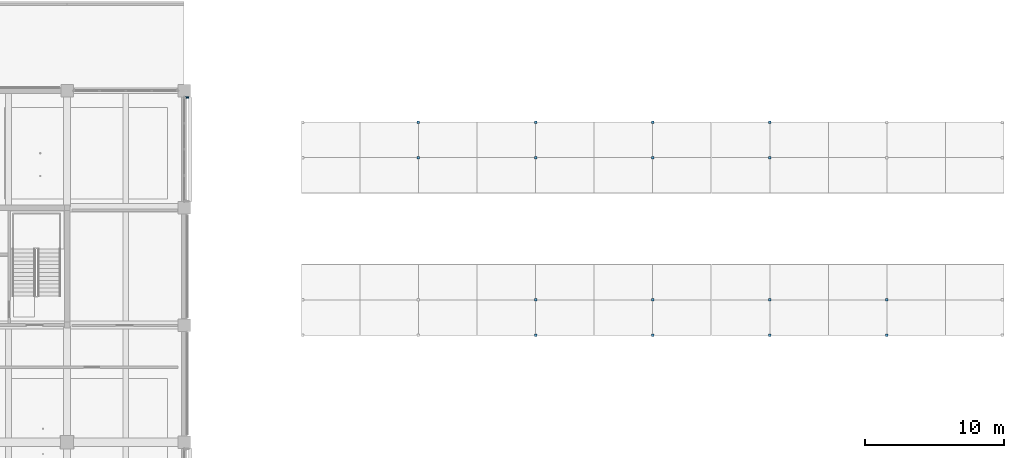
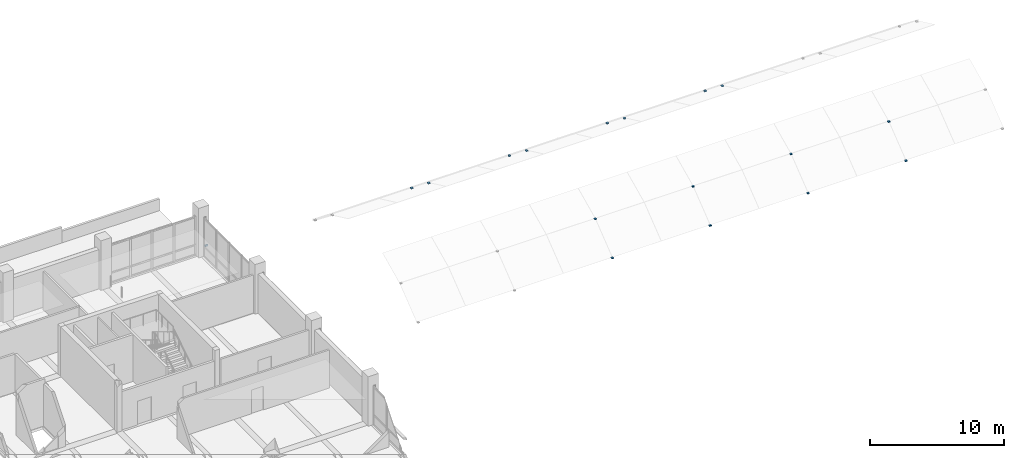
# One storey, part 34 of 59: 17 discrete accessories.
"""IFC4 building model written with IfcOpenShell, lengths in metres."""

from ifc_helpers import new_model, si_unit, direction, frame, origin, origin_2d, place, context, subcontext, project, spatial, rectangle, extrude, material, type_object, element, save


model = new_model("IFC4")

# Units and contexts
model_context = context("Model", 3, precision=1e-05, world=origin(), true_north=direction((0.0, 1.0)))
body_context = subcontext(model_context, "Body", "Model", "MODEL_VIEW")
ifc_project = project(units=[si_unit("LENGTHUNIT", "METRE"), si_unit("AREAUNIT", "SQUARE_METRE"), si_unit("VOLUMEUNIT", "CUBIC_METRE"), si_unit("PLANEANGLEUNIT", "RADIAN"), si_unit("MASSUNIT", "GRAM", prefix="KILO")], contexts=[model_context])

# Site, building, storey
site_placement = place(None, origin())
site = spatial("IfcSite", under=ifc_project, at=site_placement, CompositionType="ELEMENT")
building_placement = place(site_placement, origin())
building = spatial("IfcBuilding", under=site, at=building_placement, Name="Telukmera Botanical Conservatory", CompositionType="ELEMENT")
storey_placement = place(building_placement, frame((0.0, 0.0, 15.0)))
storey = spatial("IfcBuildingStorey", under=building, at=storey_placement, Name="L03", CompositionType="ELEMENT", Elevation=15.0)

# Discrete accessories
ifc_material = material(Name="Steel S355", Category="steel")
discrete_accessory_type_1 = type_object("IfcDiscreteAccessoryType", Name="Structural Steel Facade Outrigger Fin Bracket", PredefinedType="BRACKET", material=ifc_material)
discrete_accessory_placement = place(storey_placement, frame((109.39990234375, 42.3154296875, 0.8798828125), z_axis=(0.0, 0.0, 1.0), x_axis=(0.0, 1.0, 0.0)))
element("IfcDiscreteAccessory", 1, at=discrete_accessory_placement, inside=storey, type_object=discrete_accessory_type_1, Name="Facade Outrigger Bracket V4:L03:E4 B", PredefinedType="BRACKET", context=body_context, shape_type="SweptSolid", body=[
    extrude(rectangle(XDim=0.10009765625, YDim=0.239990234375, at=origin_2d()), origin(), (0.0, 0.0, 1.0), 0.139892578125),
])
discrete_accessory_type_2 = type_object("IfcDiscreteAccessoryType", Name="Structural Steel Gridshell Glazing Shoe Bracket", PredefinedType="BRACKET", material=ifc_material)
for number, where, z_axis, x_axis, name in (
    (2, (126.0, 38.0, 3.365234375), (0.0, 0.0, 1.0), (1.0, 0.0, 0.0), "Conservatory Node Glazing Spider Bracket 02-08"),
    (3, (126.0, 40.550048828125, 1.365234375), (0.0, 0.0, 1.0), (1.0, 0.0, 0.0), "Conservatory Node Glazing Spider Bracket 02-09"),
    (4, (134.39990234375, 25.25, 1.365234375), (0.0, 0.0, 1.0), (1.0, 0.0, 0.0), "Conservatory Node Glazing Spider Bracket 04-03"),
    (5, (134.39990234375, 27.800048828125, 3.365234375), (0.0, 0.0, 1.0), (1.0, 0.0, 0.0), "Conservatory Node Glazing Spider Bracket 04-04"),
    (6, (134.39990234375, 38.0, 3.365234375), (0.0, 0.0, 1.0), (1.0, 0.0, 0.0), "Conservatory Node Glazing Spider Bracket 04-08"),
    (7, (134.39990234375, 40.550048828125, 1.365234375), (0.0, 0.0, 1.0), (1.0, 0.0, 0.0), "Conservatory Node Glazing Spider Bracket 04-09"),
    (8, (142.800048828125, 25.25, 1.365234375), (0.0, 0.0, 1.0), (1.0, 0.0, 0.0), "Conservatory Node Glazing Spider Bracket 06-03"),
    (9, (142.800048828125, 27.800048828125, 3.365234375), (0.0, 0.0, 1.0), (1.0, 0.0, 0.0), "Conservatory Node Glazing Spider Bracket 06-04"),
    (10, (142.800048828125, 38.0, 3.365234375), (0.0, 0.0, 1.0), (1.0, 0.0, 0.0), "Conservatory Node Glazing Spider Bracket 06-08"),
    (11, (142.800048828125, 40.550048828125, 1.365234375), (0.0, 0.0, 1.0), (1.0, 0.0, 0.0), "Conservatory Node Glazing Spider Bracket 06-09"),
    (12, (151.199951171875, 25.25, 1.365234375), (0.0, 0.0, 1.0), (1.0, 0.0, 0.0), "Conservatory Node Glazing Spider Bracket 08-03"),
    (13, (151.199951171875, 27.800048828125, 3.365234375), (0.0, 0.0, 1.0), (1.0, 0.0, 0.0), "Conservatory Node Glazing Spider Bracket 08-04"),
    (14, (151.199951171875, 38.0, 3.365234375), (0.0, 0.0, 1.0), (1.0, 0.0, 0.0), "Conservatory Node Glazing Spider Bracket 08-08"),
    (15, (151.199951171875, 40.550048828125, 1.365234375), (0.0, 0.0, 1.0), (1.0, 0.0, 0.0), "Conservatory Node Glazing Spider Bracket 08-09"),
    (16, (159.60009765625, 25.25, 1.365234375), (0.0, 0.0, 1.0), (1.0, 0.0, 0.0), "Conservatory Node Glazing Spider Bracket 10-03"),
    (17, (159.60009765625, 27.800048828125, 3.365234375), (0.0, 0.0, 1.0), (1.0, 0.0, 0.0), "Conservatory Node Glazing Spider Bracket 10-04"),
):
    element("IfcDiscreteAccessory", number, at=place(storey_placement, frame(where, z_axis=z_axis, x_axis=x_axis)), inside=storey, type_object=discrete_accessory_type_2, Name=name, PredefinedType="BRACKET", context=body_context, shape_type="SweptSolid", body=[
        extrude(rectangle(XDim=0.179931640625, YDim=0.179931640625, at=origin_2d()), origin(), (0.0, 0.0, 1.0), 0.094970703125),
    ])

save(model, "model.ifc")
